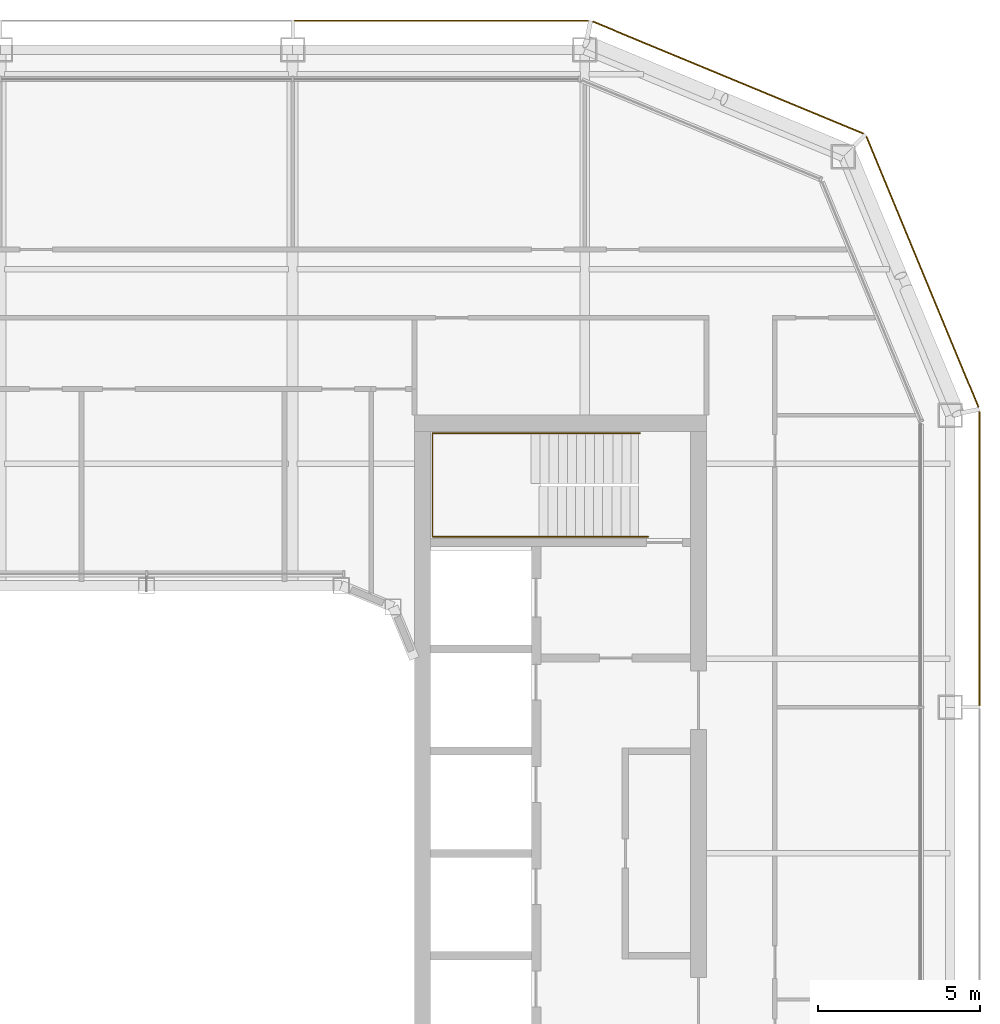
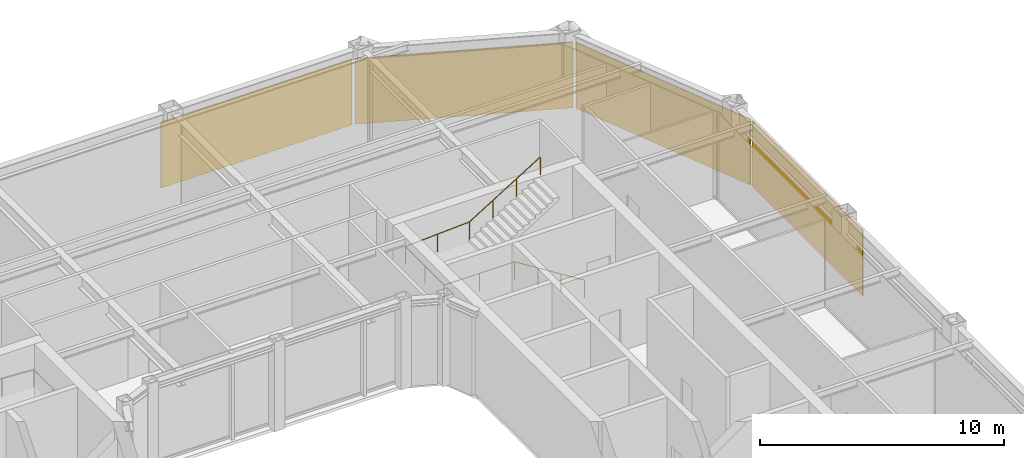
# One storey, part 17 of 17: 4 coverings, 1 railing.
"""IFC4 building model written with IfcOpenShell, lengths in metres."""

from ifc_helpers import new_model, si_unit, direction, frame, origin, origin_2d, place, context, subcontext, project, spatial, rectangle, circle, extrude, material, layer, layer_set, type_object, element, save


model = new_model("IFC4")

# Units and contexts
model_context = context("Model", 3, precision=1e-05, world=origin(), true_north=direction((0.0, 1.0)))
body_context = subcontext(model_context, "Body", "Model", "MODEL_VIEW")
ifc_project = project(units=[si_unit("LENGTHUNIT", "METRE"), si_unit("AREAUNIT", "SQUARE_METRE"), si_unit("VOLUMEUNIT", "CUBIC_METRE"), si_unit("PLANEANGLEUNIT", "RADIAN"), si_unit("MASSUNIT", "GRAM", prefix="KILO")], contexts=[model_context])

# Site, building, storey
site_placement = place(None, origin())
site = spatial("IfcSite", under=ifc_project, at=site_placement, CompositionType="ELEMENT")
building_placement = place(site_placement, origin())
building = spatial("IfcBuilding", under=site, at=building_placement, Name="Siwar Civic Tower", CompositionType="ELEMENT")
storey_placement = place(building_placement, frame((0.0, 0.0, 289.699951171875)))
storey = spatial("IfcBuildingStorey", under=building, at=storey_placement, Name="L62", CompositionType="ELEMENT", Elevation=289.699951171875)

# Railing
ifc_material_1 = material(Name="Stainless steel", Category="steel")
railing_type = type_object("IfcRailingType", Name="CORE-STAIR-HANDRAIL", PredefinedType="HANDRAIL", material=ifc_material_1)
railing_placement = place(storey_placement, frame((15.449951171875, 9.758056640625, 0.173095703125)))
element("IfcRailing", 1, at=railing_placement, inside=storey, type_object=railing_type, Name="Stair handrail ST3", PredefinedType="HANDRAIL", context=body_context, shape_type="SweptSolid", body=[
    extrude(circle(Radius=0.02001953125, at=origin_2d()), frame((0.0, 0.0, 0.8798828125), z_axis=(-0.847063342986, 0.0, 0.531491950051), x_axis=(0.0, -1.0, 0.0)), (0.0, 0.0, 1.0), 3.90771484375),
    extrude(circle(Radius=0.02001953125, at=origin_2d()), frame((-3.31005859375, 0.0, 2.956787109375), z_axis=(-1.0, 0.0, 0.0), x_axis=(0.0, -1.0, 0.0)), (0.0, 0.0, 1.0), 3.331787109375),
    extrude(circle(Radius=0.02001953125, at=origin_2d()), frame((-6.641845703125, 0.0, 2.956787109375), z_axis=(0.0, 1.0, 0.0), x_axis=(-1.0, 0.0, 0.0)), (0.0, 0.0, 1.0), 3.183837890625),
    extrude(circle(Radius=0.02001953125, at=origin_2d()), frame((-6.641845703125, 3.183837890625, 2.956787109375), z_axis=(0.99837434197, 0.0, 0.056997134106), x_axis=(0.0, 1.0, 0.0)), (0.0, 0.0, 1.0), 3.036865234375),
    extrude(circle(Radius=0.02001953125, at=origin_2d()), frame((-3.60986328125, 3.183837890625, 3.1298828125), z_axis=(0.850606129759, 0.0, 0.525803396734), x_axis=(0.0, 1.0, 0.0)), (0.0, 0.0, 1.0), 3.949951171875),
    extrude(circle(Radius=0.02001953125, at=origin_2d()), origin(), (0.0, 0.0, 1.0), 0.85986328125),
    extrude(circle(Radius=0.02001953125, at=origin_2d()), frame((-1.103271484375, 0.0, 0.6923828125)), (0.0, 0.0, 1.0), 0.85986328125),
    extrude(circle(Radius=0.02001953125, at=origin_2d()), frame((-2.206787109375, 0.0, 1.384521484375)), (0.0, 0.0, 1.0), 0.85986328125),
    extrude(circle(Radius=0.02001953125, at=origin_2d()), frame((-3.31005859375, 0.0, 2.076904296875)), (0.0, 0.0, 1.0), 0.85986328125),
    extrude(circle(Radius=0.02001953125, at=origin_2d()), frame((-4.97607421875, 0.0, 2.076904296875)), (0.0, 0.0, 1.0), 0.85986328125),
    extrude(circle(Radius=0.02001953125, at=origin_2d()), frame((-6.641845703125, 0.0, 2.076904296875)), (0.0, 0.0, 1.0), 0.85986328125),
    extrude(circle(Radius=0.02001953125, at=origin_2d()), frame((-6.641845703125, 1.591796875, 2.076904296875)), (0.0, 0.0, 1.0), 0.85986328125),
    extrude(circle(Radius=0.02001953125, at=origin_2d()), frame((-6.641845703125, 3.183837890625, 2.076904296875)), (0.0, 0.0, 1.0), 0.85986328125),
    extrude(circle(Radius=0.02001953125, at=origin_2d()), frame((-5.1259765625, 3.183837890625, 2.16357421875)), (0.0, 0.0, 1.0), 0.85986328125),
    extrude(circle(Radius=0.02001953125, at=origin_2d()), frame((-3.60986328125, 3.183837890625, 2.25)), (0.0, 0.0, 1.0), 0.85986328125),
    extrude(circle(Radius=0.02001953125, at=origin_2d()), frame((-2.489990234375, 3.183837890625, 2.9423828125)), (0.0, 0.0, 1.0), 0.85986328125),
    extrude(circle(Radius=0.02001953125, at=origin_2d()), frame((-1.369873046875, 3.183837890625, 3.634521484375)), (0.0, 0.0, 1.0), 0.85986328125),
    extrude(circle(Radius=0.02001953125, at=origin_2d()), frame((-0.25, 3.183837890625, 4.326904296875)), (0.0, 0.0, 1.0), 0.85986328125),
])

# Coverings
ifc_material_2 = material(Name="Perforated aluminium cassette, pale metal", Category="aluminium")
ifc_layer = layer(ifc_material_2, 0.0400390625)
ifc_layer_set = layer_set([ifc_layer], Name="Perforated aluminium cassette, pale metal")
covering_type = type_object("IfcCoveringType", Name="ENV-OUTER SKIN OS-1", PredefinedType="CLADDING", material=ifc_layer_set)
covering_1_placement = place(storey_placement, frame((25.64990234375, 9.07958984375, -0.14990234375), z_axis=(0.0, 0.0, 1.0), x_axis=(0.0, 1.0, 0.0)))
element("IfcCovering", 2, at=covering_1_placement, inside=storey, type_object=covering_type, Name="OUTER SKIN OS-1 E 3", PredefinedType="CLADDING", context=body_context, shape_type="SweptSolid", body=[
    extrude(rectangle(XDim=9.05908203125, YDim=0.0400390625, at=origin_2d()), origin(), (0.0, 0.0, 1.0), 3.300048828125),
])
for number, where, z_axis, x_axis, name in (
    (3, (23.89697265625, 17.911376953125, -0.14990234375), (0.0, 0.0, 1.0), (-0.382683432365, 0.923879532511, 0.0), "OUTER SKIN OS-1 NE1 1"),
    (4, (17.911376953125, 23.89697265625, -0.14990234375), (0.0, 0.0, 1.0), (-0.923879532511, 0.382683432365, 0.0), "OUTER SKIN OS-1 NE2 1"),
):
    element("IfcCovering", number, at=place(storey_placement, frame(where, z_axis=z_axis, x_axis=x_axis)), inside=storey, type_object=covering_type, Name=name, PredefinedType="CLADDING", context=body_context, shape_type="SweptSolid", body=[
        extrude(rectangle(XDim=9.022216796875, YDim=0.0400390625, at=origin_2d()), origin(), (0.0, 0.0, 1.0), 3.300048828125),
    ])
covering_2_placement = place(storey_placement, frame((9.07958984375, 25.64990234375, -0.14990234375), z_axis=(0.0, 0.0, 1.0), x_axis=(-1.0, 0.0, 0.0)))
element("IfcCovering", 5, at=covering_2_placement, inside=storey, type_object=covering_type, Name="OUTER SKIN OS-1 N 1", PredefinedType="CLADDING", context=body_context, shape_type="SweptSolid", body=[
    extrude(rectangle(XDim=9.05908203125, YDim=0.0400390625, at=origin_2d()), origin(), (0.0, 0.0, 1.0), 3.300048828125),
])

save(model, "model.ifc")
